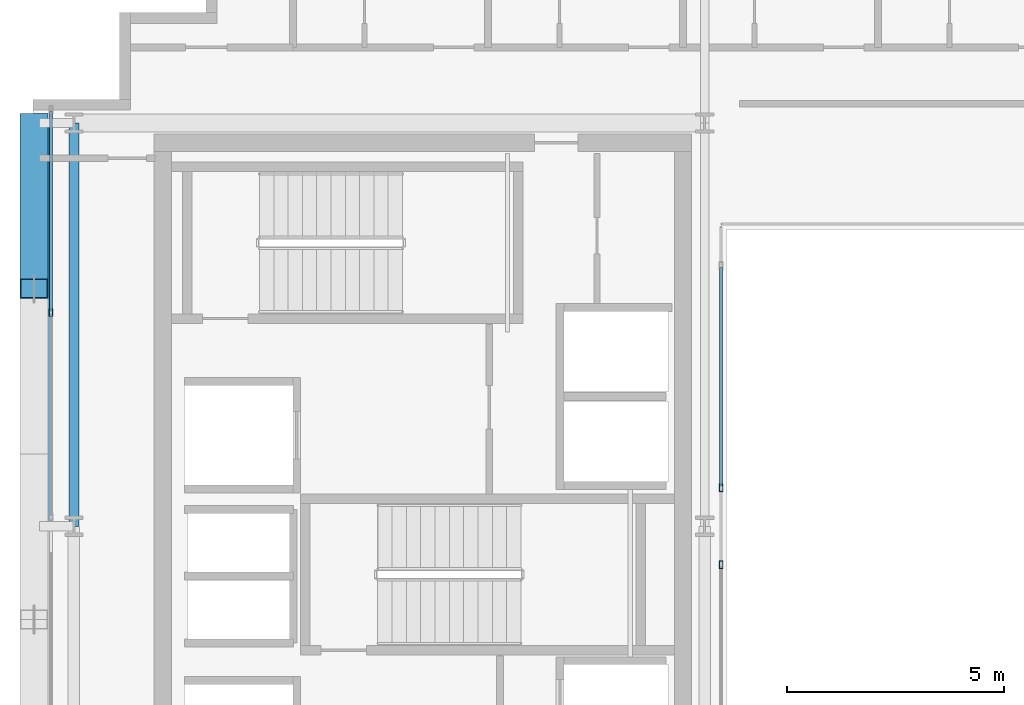
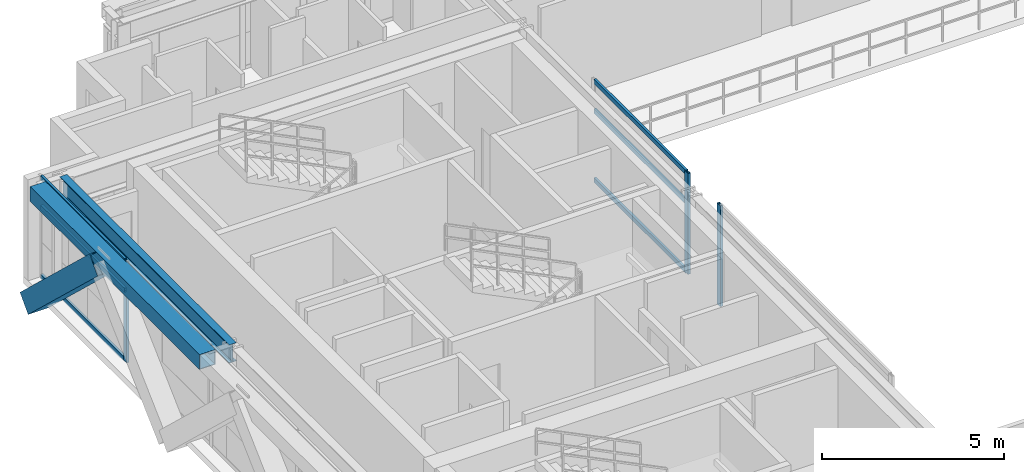
# One storey, part 7 of 29: 10 members, 2 beams, 3 elements without a shape of their own.
"""IFC4 building model written with IfcOpenShell, lengths in metres."""

import ifcopenshell
import ifcopenshell.guid

model = None  # the IFC model being written
_history = None  # IfcOwnerHistory: only IFC2X3 demands one
_inside = {}  # id of a spatial element -> (the spatial element, [elements in it])
_under = {}  # id of a project, library or spatial element -> (it, [spatial elements below it])
_declared = {}  # id of a project -> (the project, [libraries it declares])
_typed = {}  # id of a type object -> (the type object, [elements of that type])
_made_of = {}  # id of a material, layer set ... -> (it, [elements and type objects made of it])


def new_model(schema):
    """Start an empty IFC model of exactly this schema.

    Asked for "IFC4X3", IfcOpenShell would pick the latest addendum, in which some entities
    have other attributes; the version numbers below select the first issue.
    IFC2X3 requires an IfcOwnerHistory on every rooted entity: one is made here for all.
    """
    global model, _history
    if schema == "IFC4X3":
        model = ifcopenshell.file(schema_version=(4, 3, 0, 0))
    else:
        model = ifcopenshell.file(schema=schema)
    _inside.clear()
    _under.clear()
    _declared.clear()
    _typed.clear()
    _made_of.clear()
    _history = None
    if model.schema == "IFC2X3":
        org = make("IfcOrganization", Name="unknown")
        user = make(
            "IfcPersonAndOrganization",
            ThePerson=make("IfcPerson", FamilyName="unknown"),
            TheOrganization=org,
        )
        app = make(
            "IfcApplication",
            ApplicationDeveloper=org,
            Version="unknown",
            ApplicationFullName="unknown",
            ApplicationIdentifier="unknown",
        )
        _history = make(
            "IfcOwnerHistory",
            OwningUser=user,
            OwningApplication=app,
            ChangeAction="ADDED",
            CreationDate=0,
        )
    return model


def make(cls, **values):
    """One entity of the class cls with the attributes given. An attribute that is None is left unset."""
    return model.create_entity(
        cls, **{name: value for name, value in values.items() if value is not None}
    )


def rooted(cls, **values):
    """An entity with a GlobalId (a new one), such as an element, a storey or a relation."""
    return make(cls, GlobalId=ifcopenshell.guid.new(), OwnerHistory=_history, **values)


def si_unit(unit_type, name, prefix=None):
    """IfcSIUnit, for example si_unit("LENGTHUNIT", "METRE", prefix="MILLI")."""
    return make("IfcSIUnit", UnitType=unit_type, Prefix=prefix, Name=name)


def assignment(units):
    """IfcUnitAssignment: the units of a project."""
    return None if units is None else make("IfcUnitAssignment", Units=units)


def point(xyz):
    """IfcCartesianPoint."""
    return None if xyz is None else make("IfcCartesianPoint", Coordinates=xyz)


def direction(xyz):
    """IfcDirection."""
    return None if xyz is None else make("IfcDirection", DirectionRatios=xyz)


def frame(location, z_axis=None, x_axis=None):
    """IfcAxis2Placement3D, a coordinate frame: its origin and axes. An axis left out is left unset."""
    return make(
        "IfcAxis2Placement3D",
        Location=point(location),
        Axis=direction(z_axis),
        RefDirection=direction(x_axis),
    )


def frame_2d(location, x_axis=None):
    """IfcAxis2Placement2D, a coordinate frame in the plane: its origin and x axis."""
    return make(
        "IfcAxis2Placement2D", Location=point(location), RefDirection=direction(x_axis)
    )


def origin():
    """The frame at (0, 0, 0) with its axes left unset."""
    return frame((0.0, 0.0, 0.0))


def origin_2d():
    """The frame at (0, 0) in the plane with its x axis left unset."""
    return frame_2d((0.0, 0.0))


def place(relative_to, where):
    """IfcLocalPlacement: puts the frame where relative to a parent placement (None: the world)."""
    return make(
        "IfcLocalPlacement", PlacementRelTo=relative_to, RelativePlacement=where
    )


def context(
    kind, dimensions, precision=None, world=None, true_north=None, identifier=None
):
    """IfcGeometricRepresentationContext, for example the 3D "Model" context."""
    return make(
        "IfcGeometricRepresentationContext",
        ContextIdentifier=identifier,
        ContextType=kind,
        CoordinateSpaceDimension=dimensions,
        Precision=precision,
        WorldCoordinateSystem=world,
        TrueNorth=true_north,
    )


def subcontext(parent, identifier, kind, view, scale=None):
    """IfcGeometricRepresentationSubContext, for example "Body" below "Model"."""
    return make(
        "IfcGeometricRepresentationSubContext",
        ContextIdentifier=identifier,
        ContextType=kind,
        ParentContext=parent,
        TargetScale=scale,
        TargetView=view,
    )


def project(units=None, contexts=None):
    """IfcProject with its units and contexts."""
    return rooted(
        "IfcProject",
        Name="project",
        RepresentationContexts=contexts,
        UnitsInContext=assignment(units),
    )


def spatial(cls, under=None, at=None, **own):
    """A site, building, storey or space (cls), placed at a placement, below another one or the project."""
    s = rooted(cls, ObjectPlacement=at, **own)
    if under is not None:
        _under.setdefault(under.id(), (under, []))[1].append(s)
    return s


def profile(cls, at=None, kind="AREA", **sizes):
    """A parametric profile (cls). Its sizes go by their IFC names, for example OverallWidth=200.0."""
    return make(cls, ProfileType=kind, Position=at, **sizes)


def hollow_rectangle(**sizes):
    """IfcRectangleHollowProfileDef."""
    return profile("IfcRectangleHollowProfileDef", **sizes)


def i_section(**sizes):
    """IfcIShapeProfileDef."""
    return profile("IfcIShapeProfileDef", **sizes)


def extrude(swept, where, along, depth):
    """IfcExtrudedAreaSolid: the profile swept, set in the frame where, extruded along a direction by depth."""
    return make(
        "IfcExtrudedAreaSolid",
        SweptArea=swept,
        Position=where,
        ExtrudedDirection=direction(along),
        Depth=depth,
    )


def shape(context_of_items, identifier, shape_type, items):
    """IfcShapeRepresentation: the items that make up one representation, for example the "Body"."""
    return make(
        "IfcShapeRepresentation",
        ContextOfItems=context_of_items,
        RepresentationIdentifier=identifier,
        RepresentationType=shape_type,
        Items=items,
    )


def source(mapping_origin, context_of_items, identifier, shape_type, items):
    """IfcRepresentationMap: a shape defined once, which mapped items show again and again."""
    return make(
        "IfcRepresentationMap",
        MappingOrigin=mapping_origin,
        MappedRepresentation=shape(context_of_items, identifier, shape_type, items),
    )


def transform(
    local_origin,
    x_axis=None,
    y_axis=None,
    z_axis=None,
    scale=None,
    scale2=None,
    scale3=None,
    uniform=True,
):
    """IfcCartesianTransformationOperator3D, or its non-uniform kind. x_axis, y_axis, z_axis: its Axis1, 2, 3."""
    if uniform:
        return make(
            "IfcCartesianTransformationOperator3D",
            Axis1=direction(x_axis),
            Axis2=direction(y_axis),
            LocalOrigin=point(local_origin),
            Scale=scale,
            Axis3=direction(z_axis),
        )
    return make(
        "IfcCartesianTransformationOperator3DnonUniform",
        Axis1=direction(x_axis),
        Axis2=direction(y_axis),
        LocalOrigin=point(local_origin),
        Scale=scale,
        Axis3=direction(z_axis),
        Scale2=scale2,
        Scale3=scale3,
    )


def mapped(mapping_source, mapping_target):
    """IfcMappedItem: shows the shape of a source again, moved by a transform."""
    return make(
        "IfcMappedItem", MappingSource=mapping_source, MappingTarget=mapping_target
    )


def material(Name=None, Category=None):
    """IfcMaterial."""
    return make("IfcMaterial", Name=Name, Category=Category)


def layer(
    of_material, thickness, ventilated=None, Name=None, Category=None, Priority=None
):
    """IfcMaterialLayer: one layer of a wall or slab, of a material (None: an air gap)."""
    return make(
        "IfcMaterialLayer",
        Material=of_material,
        LayerThickness=thickness,
        IsVentilated=ventilated,
        Name=Name,
        Category=Category,
        Priority=Priority,
    )


def layer_set(layers, Name=None):
    """IfcMaterialLayerSet."""
    return make("IfcMaterialLayerSet", MaterialLayers=layers, LayerSetName=Name)


def material_profile(
    of_material, cross_section, Name=None, Category=None, Priority=None
):
    """IfcMaterialProfile: a cross section and its material."""
    return make(
        "IfcMaterialProfile",
        Name=Name,
        Material=of_material,
        Profile=cross_section,
        Priority=Priority,
        Category=Category,
    )


def profile_set(profiles, Name=None, composite=None):
    """IfcMaterialProfileSet."""
    return make(
        "IfcMaterialProfileSet",
        Name=Name,
        MaterialProfiles=profiles,
        CompositeProfile=composite,
    )


def made_of(thing, what):
    """Note that an element or type object is made of a material, layer set ...; save() writes the relation."""
    if what is not None:
        _made_of.setdefault(what.id(), (what, []))[1].append(thing)
    return thing


def type_object(cls, material=None, **own):
    """A type object (cls), such as IfcWallType, which elements share."""
    return made_of(rooted(cls, **own), material)


def element(
    cls,
    number,
    at=None,
    inside=None,
    cuts=None,
    type_object=None,
    material=None,
    context=None,
    identifier="Body",
    shape_type=None,
    held_by="IfcProductDefinitionShape",
    body=None,
    shapes=None,
    **own,
):
    """One element of the class cls, such as IfcWall. Its Tag is "e" and its number.

    at: its placement. inside: the storey or other place that contains it. cuts: it is an
    opening in that element (IfcRelVoidsElement). A single representation is given by context,
    identifier, shape_type and body (its items); several are given by shapes. held_by: the class
    of the entity that holds the representations. save() writes the other relations.
    """
    e = rooted(cls, Tag="e%d" % number, ObjectPlacement=at, **own)
    if body is not None:
        shapes = [shape(context, identifier, shape_type, body)]
    if shapes is not None:
        e.Representation = make(held_by, Representations=shapes)
    if inside is not None:
        _inside.setdefault(inside.id(), (inside, []))[1].append(e)
    if cuts is not None:
        rooted(
            "IfcRelVoidsElement", RelatingBuildingElement=cuts, RelatedOpeningElement=e
        )
    if type_object is not None:
        _typed.setdefault(type_object.id(), (type_object, []))[1].append(e)
    return made_of(e, material)


def aggregate(whole, parts):
    """IfcRelAggregates: a whole, such as a stair, and the parts it consists of."""
    return rooted("IfcRelAggregates", RelatingObject=whole, RelatedObjects=parts)


def save(model, path):
    """Write the relations noted so far, then the file.

    IfcRelAggregates (storeys below a building ...), IfcRelContainedInSpatialStructure (elements
    in a storey), IfcRelDefinesByType, IfcRelAssociatesMaterial and IfcRelDeclares: one each for
    every whole, place, type object, material and project.
    """
    for whole, parts in _under.values():
        aggregate(whole, parts)
    for where, things in _inside.values():
        rooted(
            "IfcRelContainedInSpatialStructure",
            RelatedElements=things,
            RelatingStructure=where,
        )
    for kind, things in _typed.values():
        rooted("IfcRelDefinesByType", RelatedObjects=things, RelatingType=kind)
    for what, things in _made_of.values():
        rooted("IfcRelAssociatesMaterial", RelatedObjects=things, RelatingMaterial=what)
    for by, libraries in _declared.values():
        rooted("IfcRelDeclares", RelatingContext=by, RelatedDefinitions=libraries)
    model.write(path)


model = new_model("IFC4")

# Units and contexts
model_context = context("Model", 3, precision=1e-05, world=origin(), true_north=direction((0.0, 1.0)))
body_context = subcontext(model_context, "Body", "Model", "MODEL_VIEW")
ifc_project = project(units=[si_unit("LENGTHUNIT", "METRE"), si_unit("AREAUNIT", "SQUARE_METRE"), si_unit("VOLUMEUNIT", "CUBIC_METRE"), si_unit("PLANEANGLEUNIT", "RADIAN"), si_unit("MASSUNIT", "GRAM", prefix="KILO")], contexts=[model_context])

# Site, building, storey
site_placement = place(None, origin())
site = spatial("IfcSite", under=ifc_project, at=site_placement, CompositionType="ELEMENT")
building_placement = place(site_placement, origin())
building = spatial("IfcBuilding", under=site, at=building_placement, Name="Ocotamira Hotel", CompositionType="ELEMENT")
storey_placement = place(building_placement, frame((0.0, 0.0, 236.39990234375)))
storey = spatial("IfcBuildingStorey", under=building, at=storey_placement, Name="L59", CompositionType="ELEMENT", Elevation=236.39990234375)

# Beams
ifc_material_1 = material(Name="Steel ASTM A992 Grade 50", Category="steel")
ifc_material_profile_1 = material_profile(ifc_material_1, i_section(OverallWidth=0.22998046875, OverallDepth=0.616943359375, WebThickness=0.01318359375, FlangeThickness=0.022216796875, FilletRadius=0.012939453125, at=origin_2d()), Name="W24X94")
ifc_profile_set_1 = profile_set([ifc_material_profile_1], Name="Steel ASTM A992 Grade 50")
beam_type_1 = type_object("IfcBeamType", Name="BM-PRIM-W24X94", PredefinedType="BEAM", material=ifc_profile_set_1)
shared_shape_1 = source(origin(), body_context, "Body", "SweptSolid", [
    extrude(i_section(OverallWidth=0.22998046875, OverallDepth=0.616943359375, WebThickness=0.01318359375, FlangeThickness=0.022216796875, FilletRadius=0.012939453125, at=origin_2d()), origin(), (0.0, 0.0, 1.0), 9.300048828125),
])
beam_1_placement = place(storey_placement, frame((8.949951171875, 28.14990234375, 3.071533203125), z_axis=(0.0, 1.0, 0.0), x_axis=(-1.0, 0.0, 0.0)))
element("IfcBeam", 1, at=beam_1_placement, inside=storey, type_object=beam_type_1, Name="L59 Beam X8.95 Y28.15-37.45", PredefinedType="BEAM", context=body_context, shape_type="MappedRepresentation", body=[
    mapped(shared_shape_1, transform((0.0, 0.0, 0.0), scale=1.0)),
])
ifc_material_2 = material(Name="Steel ASTM A500 Grade C", Category="steel")
ifc_material_profile_2 = material_profile(ifc_material_2, hollow_rectangle(XDim=0.5, YDim=0.5, WallThickness=0.02001953125, at=origin_2d()), Name="HSS500X500X20")
ifc_profile_set_2 = profile_set([ifc_material_profile_2], Name="Steel ASTM A500 Grade C")
beam_type_2 = type_object("IfcBeamType", Name="BM-SPAN-HSS500", PredefinedType="USERDEFINED", material=ifc_profile_set_2)
shared_shape_2 = source(origin(), body_context, "Body", "SweptSolid", [
    extrude(hollow_rectangle(XDim=0.5, YDim=0.5, WallThickness=0.02001953125, at=origin_2d()), origin(), (0.0, 0.0, 1.0), 9.300048828125),
])
beam_2_placement = place(storey_placement, frame((8.14990234375, 28.14990234375, 3.130126953125), z_axis=(0.0, 1.0, 0.0), x_axis=(-1.0, 0.0, 0.0)))
element("IfcBeam", 2, at=beam_2_placement, inside=storey, type_object=beam_type_2, Name="L59 Edge Spandrel W Y28.15-37.45", ObjectType="SPANDREL", PredefinedType="USERDEFINED", context=body_context, shape_type="MappedRepresentation", body=[
    mapped(shared_shape_2, transform((0.0, 0.0, 0.0), scale=1.0)),
])

# Member
ifc_material_3 = material(Name="Pale-metal coated steel ASTM A913 Grade 65", Category="steel")
ifc_material_profile_3 = material_profile(ifc_material_3, hollow_rectangle(XDim=0.64990234375, YDim=0.64990234375, WallThickness=0.02197265625, at=origin_2d()), Name="BOX650X650X22")
ifc_profile_set_3 = profile_set([ifc_material_profile_3], Name="Pale-metal coated steel ASTM A913 Grade 65")
member_type_1 = type_object("IfcMemberType", Name="MEM-EXO-BOX650", PredefinedType="BRACE", material=ifc_profile_set_3)
shared_shape_3 = source(origin(), body_context, "Body", "SweptSolid", [
    extrude(hollow_rectangle(XDim=0.64990234375, YDim=0.64990234375, WallThickness=0.02197265625, at=origin_2d()), origin(), (0.0, 0.0, 1.0), 5.24658203125),
])
member_1_placement = place(storey_placement, frame((8.030029296875, 37.449951171875, -0.469970703125), z_axis=(0.0, -0.727442733726, 0.686168397078), x_axis=(1.0, 0.0, 0.0)))
element("IfcMember", 3, at=member_1_placement, inside=storey, type_object=member_type_1, Name="L59 Exoskeleton Diagrid W2.2", PredefinedType="BRACE", context=body_context, shape_type="MappedRepresentation", body=[
    mapped(shared_shape_3, transform((0.0, 0.0, 0.0), scale=1.0)),
])

# Curtain wall, members
ifc_material_4 = material(Name="Anodised pale-metal aluminium and solar glass", Category="aluminium")
ifc_layer_1 = layer(ifc_material_4, 0.239990234375)
ifc_layer_set_1 = layer_set([ifc_layer_1], Name="Anodised pale-metal aluminium and solar glass")
curtain_wall_type_1 = type_object("IfcCurtainWallType", Name="CW-SYS5-SKY", PredefinedType="NOTDEFINED", material=ifc_layer_set_1)
curtain_wall_1_placement = place(storey_placement, origin())
curtain_wall_1 = element("IfcCurtainWall", 4, at=curtain_wall_1_placement, inside=storey, type_object=curtain_wall_type_1, Name="L59 Curtain Wall CW-5 CW-L59-W", PredefinedType="NOTDEFINED")
ifc_material_5 = material(Name="Anodised pale-metal aluminium 6063-T6", Category="aluminium")
ifc_material_profile_4 = material_profile(ifc_material_5, hollow_rectangle(XDim=0.074951171875, YDim=0.14990234375, WallThickness=0.006103515625, at=origin_2d()), Name="HSS150X75X6")
ifc_profile_set_4 = profile_set([ifc_material_profile_4], Name="Anodised pale-metal aluminium 6063-T6")
member_type_2 = type_object("IfcMemberType", Name="CWT-150X75", PredefinedType="USERDEFINED", material=ifc_profile_set_4)
shared_shape_4 = source(origin(), body_context, "Body", "SweptSolid", [
    extrude(hollow_rectangle(XDim=0.074951171875, YDim=0.14990234375, WallThickness=0.006103515625, at=origin_2d()), origin(), (0.0, 0.0, 1.0), 4.599853515625),
])
member_2_placement = place(storey_placement, frame((8.419921875, 33.1201171875, 0.03759765625), z_axis=(0.0, 1.0, 0.0), x_axis=(-1.0, 0.0, 0.0)))
member_2 = element("IfcMember", 5, at=member_2_placement, type_object=member_type_2, Name="CW-5 transom 5.1", ObjectType="TRANSOM", PredefinedType="USERDEFINED", context=body_context, shape_type="MappedRepresentation", body=[
    mapped(shared_shape_4, transform((0.0, 0.0, 0.0), scale=1.0)),
])
member_3_placement = place(storey_placement, frame((8.419921875, 33.1201171875, 2.35009765625), z_axis=(0.0, 1.0, 0.0), x_axis=(-1.0, 0.0, 0.0)))
member_3 = element("IfcMember", 6, at=member_3_placement, type_object=member_type_2, Name="CW-5 transom 5.2", ObjectType="TRANSOM", PredefinedType="USERDEFINED", context=body_context, shape_type="MappedRepresentation", body=[
    mapped(shared_shape_4, transform((0.0, 0.0, 0.0), scale=1.0)),
])
member_4_placement = place(storey_placement, frame((8.419921875, 33.1201171875, 3.342529296875), z_axis=(0.0, 1.0, 0.0), x_axis=(-1.0, 0.0, 0.0)))
member_4 = element("IfcMember", 7, at=member_4_placement, type_object=member_type_2, Name="CW-5 transom 5.3", ObjectType="TRANSOM", PredefinedType="USERDEFINED", context=body_context, shape_type="MappedRepresentation", body=[
    mapped(shared_shape_4, transform((0.0, 0.0, 0.0), scale=1.0)),
])
ifc_material_profile_5 = material_profile(ifc_material_5, hollow_rectangle(XDim=0.080078125, YDim=0.179931640625, WallThickness=0.006103515625, at=origin_2d()), Name="HSS180X80X6")
ifc_profile_set_5 = profile_set([ifc_material_profile_5], Name="Anodised pale-metal aluminium 6063-T6")
member_type_3 = type_object("IfcMemberType", Name="CWM-180X75", PredefinedType="MULLION", material=ifc_profile_set_5)
shared_shape_5 = source(origin(), body_context, "Body", "SweptSolid", [
    extrude(hollow_rectangle(XDim=0.080078125, YDim=0.179931640625, WallThickness=0.006103515625, at=origin_2d()), origin(), (0.0, 0.0, 1.0), 3.380126953125),
])
member_5_placement = place(storey_placement, frame((8.419921875, 33.080078125, 0.0), z_axis=(0.0, 0.0, 1.0), x_axis=(-1.0, 0.0, 0.0)))
member_5 = element("IfcMember", 8, at=member_5_placement, type_object=member_type_3, Name="CW-5 mullion 5", PredefinedType="MULLION", context=body_context, shape_type="MappedRepresentation", body=[
    mapped(shared_shape_5, transform((0.0, 0.0, 0.0), scale=1.0)),
])
aggregate(curtain_wall_1, [member_5, member_2, member_3, member_4])

# Curtain wall, member
ifc_layer_2 = layer(ifc_material_4, 0.159912109375)
ifc_layer_set_2 = layer_set([ifc_layer_2], Name="Anodised pale-metal aluminium and solar glass")
curtain_wall_type_2 = type_object("IfcCurtainWallType", Name="CW-SYS6-ATR", PredefinedType="NOTDEFINED", material=ifc_layer_set_2)
curtain_wall_2_placement = place(storey_placement, origin())
curtain_wall_2 = element("IfcCurtainWall", 9, at=curtain_wall_2_placement, inside=storey, type_object=curtain_wall_type_2, Name="L59 Curtain Wall CW-6 CW-L59-ATRW1", PredefinedType="NOTDEFINED")
member_6_placement = place(storey_placement, frame((23.8798828125, 27.260009765625, 0.0), z_axis=(0.0, 0.0, 1.0), x_axis=(-1.0, 0.0, 0.0)))
member_6 = element("IfcMember", 10, at=member_6_placement, type_object=member_type_3, Name="CW-6 mullion 2", PredefinedType="MULLION", context=body_context, shape_type="MappedRepresentation", body=[
    mapped(shared_shape_5, transform((0.0, 0.0, 0.0), scale=1.0)),
])
aggregate(curtain_wall_2, [member_6])

# Curtain wall, members
curtain_wall_3_placement = place(storey_placement, origin())
curtain_wall_3 = element("IfcCurtainWall", 11, at=curtain_wall_3_placement, inside=storey, type_object=curtain_wall_type_2, Name="L59 Curtain Wall CW-6 CW-L59-ATRW2", PredefinedType="NOTDEFINED")
member_7_placement = place(storey_placement, frame((23.8798828125, 29.0400390625, 0.0), z_axis=(0.0, 0.0, 1.0), x_axis=(-1.0, 0.0, 0.0)))
member_7 = element("IfcMember", 12, at=member_7_placement, type_object=member_type_3, Name="CW-6 mullion 1", PredefinedType="MULLION", context=body_context, shape_type="MappedRepresentation", body=[
    mapped(shared_shape_5, transform((0.0, 0.0, 0.0), scale=1.0)),
])
shared_shape_6 = source(origin(), body_context, "Body", "SweptSolid", [
    extrude(hollow_rectangle(XDim=0.074951171875, YDim=0.14990234375, WallThickness=0.006103515625, at=origin_2d()), origin(), (0.0, 0.0, 1.0), 5.0400390625),
])
member_8_placement = place(storey_placement, frame((23.8798828125, 29.080078125, 0.03759765625), z_axis=(0.0, 1.0, 0.0), x_axis=(-1.0, 0.0, 0.0)))
member_8 = element("IfcMember", 13, at=member_8_placement, type_object=member_type_2, Name="CW-6 transom 1.1", ObjectType="TRANSOM", PredefinedType="USERDEFINED", context=body_context, shape_type="MappedRepresentation", body=[
    mapped(shared_shape_6, transform((0.0, 0.0, 0.0), scale=1.0)),
])
member_9_placement = place(storey_placement, frame((23.8798828125, 29.080078125, 2.35009765625), z_axis=(0.0, 1.0, 0.0), x_axis=(-1.0, 0.0, 0.0)))
member_9 = element("IfcMember", 14, at=member_9_placement, type_object=member_type_2, Name="CW-6 transom 1.2", ObjectType="TRANSOM", PredefinedType="USERDEFINED", context=body_context, shape_type="MappedRepresentation", body=[
    mapped(shared_shape_6, transform((0.0, 0.0, 0.0), scale=1.0)),
])
member_10_placement = place(storey_placement, frame((23.8798828125, 29.080078125, 3.342529296875), z_axis=(0.0, 1.0, 0.0), x_axis=(-1.0, 0.0, 0.0)))
member_10 = element("IfcMember", 15, at=member_10_placement, type_object=member_type_2, Name="CW-6 transom 1.3", ObjectType="TRANSOM", PredefinedType="USERDEFINED", context=body_context, shape_type="MappedRepresentation", body=[
    mapped(shared_shape_6, transform((0.0, 0.0, 0.0), scale=1.0)),
])
aggregate(curtain_wall_3, [member_7, member_8, member_9, member_10])

save(model, "model.ifc")
